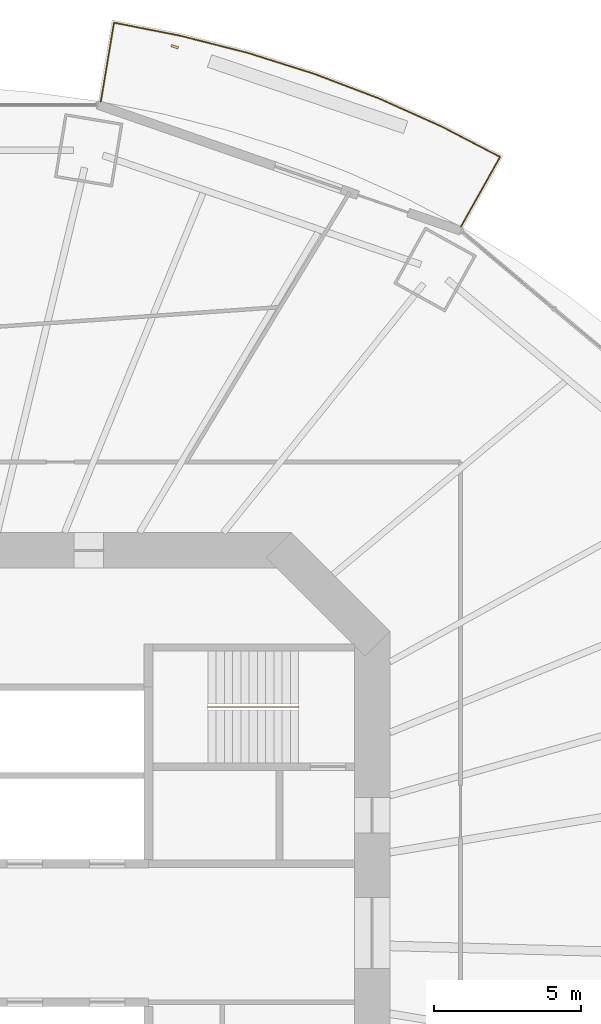
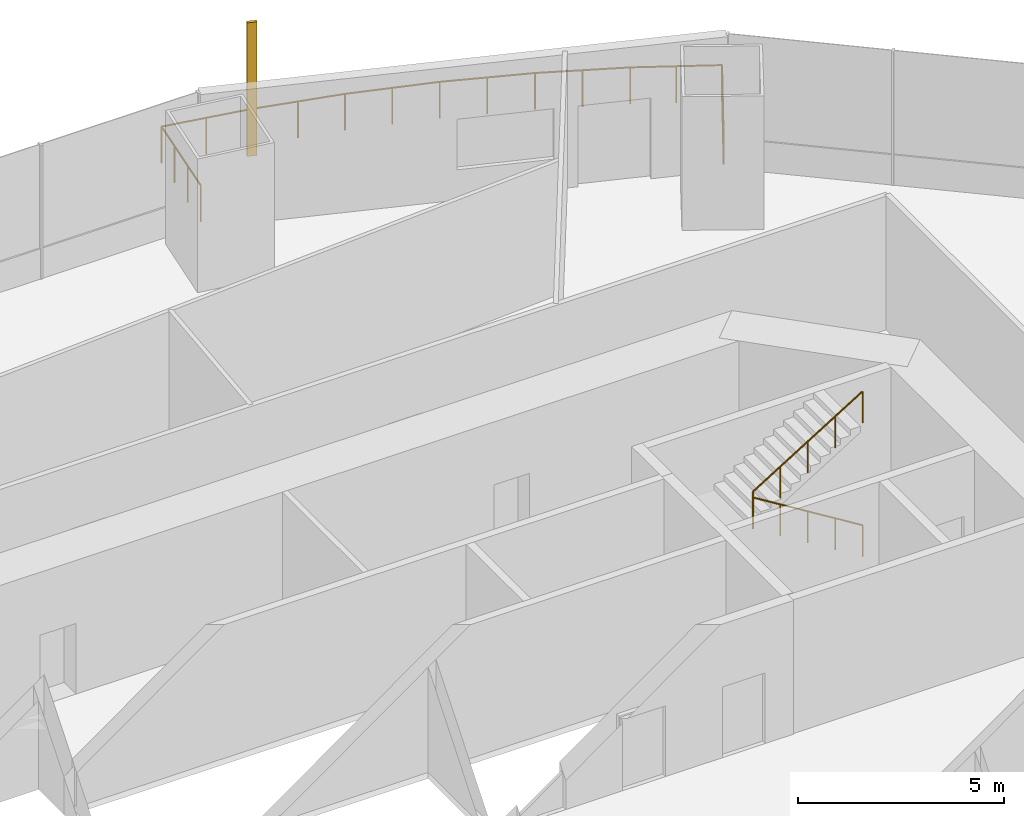
# One storey, part 20 of 22: 2 railings, 1 shading device.
"""IFC4 building model written with IfcOpenShell, lengths in metres."""

from ifc_helpers import new_model, si_unit, direction, frame, origin, origin_2d, place, context, subcontext, project, spatial, rectangle, circle, extrude, material, material_profile, profile_set, type_object, element, save


model = new_model("IFC4")

# Units and contexts
model_context = context("Model", 3, precision=1e-05, world=origin(), true_north=direction((0.0, 1.0)))
body_context = subcontext(model_context, "Body", "Model", "MODEL_VIEW")
ifc_project = project(units=[si_unit("LENGTHUNIT", "METRE"), si_unit("AREAUNIT", "SQUARE_METRE"), si_unit("VOLUMEUNIT", "CUBIC_METRE"), si_unit("PLANEANGLEUNIT", "RADIAN"), si_unit("MASSUNIT", "GRAM", prefix="KILO")], contexts=[model_context])

# Site, building, storey
site_placement = place(None, origin())
site = spatial("IfcSite", under=ifc_project, at=site_placement, CompositionType="ELEMENT")
building_placement = place(site_placement, origin())
building = spatial("IfcBuilding", under=site, at=building_placement, Name="Marenthal Gate Tower", CompositionType="ELEMENT")
storey_placement = place(building_placement, frame((0.0, 0.0, 116.0)))
storey = spatial("IfcBuildingStorey", under=building, at=storey_placement, Name="L24", CompositionType="ELEMENT", Elevation=116.0)

# Railings
ifc_material_1 = material(Name="Stainless steel", Category="steel")
railing_type_1 = type_object("IfcRailingType", Name="Balcony guard 1100", PredefinedType="GUARDRAIL", material=ifc_material_1)
railing_1_placement = place(storey_placement, frame((6.779541015625, 28.241455078125, 0.0)))
element("IfcRailing", 1, at=railing_1_placement, inside=storey, type_object=railing_type_1, Name="Balcony guard L24 bay 3", PredefinedType="GUARDRAIL", context=body_context, shape_type="SweptSolid", body=[
    extrude(circle(Radius=0.02392578125, at=origin_2d()), frame((0.0, 0.0, 1.076171875), z_axis=(0.164686797849, 0.986236088047, -0.014718602097), x_axis=(-0.986342933143, 0.164704639396, 0.0)), (0.0, 0.0, 1.0), 2.72021484375),
    extrude(circle(Radius=0.02392578125, at=origin_2d()), frame((0.447998046875, 2.682861328125, 1.0361328125), z_axis=(0.981215853429, -0.192913060677, 0.0), x_axis=(0.192913060677, 0.981215853429, 0.0)), (0.0, 0.0, 1.0), 2.302001953125),
    extrude(circle(Radius=0.02392578125, at=origin_2d()), frame((2.706787109375, 2.23876953125, 1.0361328125), z_axis=(0.969104776695, -0.246649410675, 0.0), x_axis=(0.246649410675, 0.969104776695, 0.0)), (0.0, 0.0, 1.0), 2.37255859375),
    extrude(circle(Radius=0.02392578125, at=origin_2d()), frame((5.006103515625, 1.653564453125, 1.0361328125), z_axis=(0.953609232067, -0.30104722639, 0.0), x_axis=(0.30104722639, 0.953609232067, 0.0)), (0.0, 0.0, 1.0), 2.36083984375),
    extrude(circle(Radius=0.02392578125, at=origin_2d()), frame((7.25732421875, 0.94287109375, 1.0361328125), z_axis=(0.934764240257, -0.35526865206, 0.0), x_axis=(0.35526865206, 0.934764240257, 0.0)), (0.0, 0.0, 1.0), 2.347412109375),
    extrude(circle(Radius=0.02392578125, at=origin_2d()), frame((9.45166015625, 0.10888671875, 1.0361328125), z_axis=(0.912494502903, -0.409088966083, 0.0), x_axis=(0.409088966083, 0.912494502903, 0.0)), (0.0, 0.0, 1.0), 2.332275390625),
    extrude(circle(Radius=0.02392578125, at=origin_2d()), frame((11.579833984375, -0.84521484375, 1.0361328125), z_axis=(0.887125590865, -0.461528098855, 0.0), x_axis=(0.461528098855, 0.887125590865, 0.0)), (0.0, 0.0, 1.0), 2.235595703125),
    extrude(circle(Radius=0.02392578125, at=origin_2d()), frame((13.56298828125, -1.876953125, 1.0361328125), z_axis=(-0.489197979897, -0.87204857286, 0.014718119373), x_axis=(0.872143041114, -0.489250974283, 0.0)), (0.0, 0.0, 1.0), 2.720458984375),
    extrude(circle(Radius=0.02099609375, at=origin_2d()), origin(), (0.0, 0.0, 1.0), 1.052001953125),
    extrude(circle(Radius=0.02099609375, at=origin_2d()), frame((0.1494140625, 0.894287109375, -0.013427734375)), (0.0, 0.0, 1.0), 1.052001953125),
    extrude(circle(Radius=0.02099609375, at=origin_2d()), frame((0.298583984375, 1.78857421875, -0.026611328125)), (0.0, 0.0, 1.0), 1.052001953125),
    extrude(circle(Radius=0.02099609375, at=origin_2d()), frame((0.447998046875, 2.682861328125, -0.0400390625)), (0.0, 0.0, 1.0), 1.052001953125),
    extrude(circle(Radius=0.02099609375, at=origin_2d()), frame((1.577392578125, 2.4609375, -0.0400390625)), (0.0, 0.0, 1.0), 1.052001953125),
    extrude(circle(Radius=0.02099609375, at=origin_2d()), frame((2.706787109375, 2.23876953125, -0.0400390625)), (0.0, 0.0, 1.0), 1.052001953125),
    extrude(circle(Radius=0.02099609375, at=origin_2d()), frame((3.8564453125, 1.9462890625, -0.0400390625)), (0.0, 0.0, 1.0), 1.052001953125),
    extrude(circle(Radius=0.02099609375, at=origin_2d()), frame((5.006103515625, 1.653564453125, -0.0400390625)), (0.0, 0.0, 1.0), 1.052001953125),
    extrude(circle(Radius=0.02099609375, at=origin_2d()), frame((6.1318359375, 1.29833984375, -0.0400390625)), (0.0, 0.0, 1.0), 1.052001953125),
    extrude(circle(Radius=0.02099609375, at=origin_2d()), frame((7.25732421875, 0.94287109375, -0.0400390625)), (0.0, 0.0, 1.0), 1.052001953125),
    extrude(circle(Radius=0.02099609375, at=origin_2d()), frame((8.3544921875, 0.52587890625, -0.0400390625)), (0.0, 0.0, 1.0), 1.052001953125),
    extrude(circle(Radius=0.02099609375, at=origin_2d()), frame((9.45166015625, 0.10888671875, -0.0400390625)), (0.0, 0.0, 1.0), 1.052001953125),
    extrude(circle(Radius=0.02099609375, at=origin_2d()), frame((10.515625, -0.3681640625, -0.0400390625)), (0.0, 0.0, 1.0), 1.052001953125),
    extrude(circle(Radius=0.02099609375, at=origin_2d()), frame((11.579833984375, -0.84521484375, -0.0400390625)), (0.0, 0.0, 1.0), 1.052001953125),
    extrude(circle(Radius=0.02099609375, at=origin_2d()), frame((12.5712890625, -1.361083984375, -0.0400390625)), (0.0, 0.0, 1.0), 1.052001953125),
    extrude(circle(Radius=0.02099609375, at=origin_2d()), frame((13.56298828125, -1.876953125, -0.0400390625)), (0.0, 0.0, 1.0), 1.052001953125),
    extrude(circle(Radius=0.02099609375, at=origin_2d()), frame((13.119384765625, -2.667724609375, -0.026611328125)), (0.0, 0.0, 1.0), 1.052001953125),
    extrude(circle(Radius=0.02099609375, at=origin_2d()), frame((12.67578125, -3.45849609375, -0.013427734375)), (0.0, 0.0, 1.0), 1.052001953125),
    extrude(circle(Radius=0.02099609375, at=origin_2d()), frame((12.232177734375, -4.249267578125, 0.0)), (0.0, 0.0, 1.0), 1.052001953125),
])
ifc_material_2 = material(Name="Stainless steel", Category="steel")
railing_type_2 = type_object("IfcRailingType", Name="Stair handrail", PredefinedType="HANDRAIL", material=ifc_material_2)
railing_2_placement = place(storey_placement, frame((13.5, 7.675048828125, 0.1728515625)))
element("IfcRailing", 2, at=railing_2_placement, inside=storey, type_object=railing_type_2, Name="Handrail ST3", PredefinedType="HANDRAIL", context=body_context, shape_type="SweptSolid", body=[
    extrude(circle(Radius=0.0224609375, at=origin_2d()), frame((0.0, 0.0, 0.927490234375), z_axis=(-0.850835241893, 0.0, 0.525432575268), x_axis=(0.0, -1.0, 0.0)), (0.0, 0.0, 1.0), 3.6201171875),
    extrude(circle(Radius=0.0224609375, at=origin_2d()), frame((-3.080078125, 0.0, 2.82958984375), z_axis=(0.0, 0.0, 1.0), x_axis=(1.0, 0.0, 0.0)), (0.0, 0.0, 1.0), 0.1728515625),
    extrude(circle(Radius=0.0224609375, at=origin_2d()), frame((-3.080078125, 0.0, 3.00244140625), z_axis=(0.850835241893, 0.0, 0.525432575268), x_axis=(0.0, 1.0, 0.0)), (0.0, 0.0, 1.0), 3.6201171875),
    extrude(circle(Radius=0.02001953125, at=origin_2d()), origin(), (0.0, 0.0, 1.0), 0.905029296875),
    extrude(circle(Radius=0.02001953125, at=origin_2d()), frame((-0.77001953125, 0.0, 0.4755859375)), (0.0, 0.0, 1.0), 0.905029296875),
    extrude(circle(Radius=0.02001953125, at=origin_2d()), frame((-1.5400390625, 0.0, 0.951171875)), (0.0, 0.0, 1.0), 0.905029296875),
    extrude(circle(Radius=0.02001953125, at=origin_2d()), frame((-2.31005859375, 0.0, 1.426513671875)), (0.0, 0.0, 1.0), 0.905029296875),
    extrude(circle(Radius=0.02001953125, at=origin_2d()), frame((-3.080078125, 0.0, 1.902099609375)), (0.0, 0.0, 1.0), 0.905029296875),
    extrude(circle(Radius=0.02001953125, at=origin_2d()), frame((-3.080078125, 0.0, 2.074951171875)), (0.0, 0.0, 1.0), 0.905029296875),
    extrude(circle(Radius=0.02001953125, at=origin_2d()), frame((-2.31005859375, 0.0, 2.550537109375)), (0.0, 0.0, 1.0), 0.905029296875),
    extrude(circle(Radius=0.02001953125, at=origin_2d()), frame((-1.5400390625, 0.0, 3.02587890625)), (0.0, 0.0, 1.0), 0.905029296875),
    extrude(circle(Radius=0.02001953125, at=origin_2d()), frame((-0.77001953125, 0.0, 3.50146484375)), (0.0, 0.0, 1.0), 0.905029296875),
    extrude(circle(Radius=0.02001953125, at=origin_2d()), frame((0.0, 0.0, 3.97705078125)), (0.0, 0.0, 1.0), 0.905029296875),
])

# Shading device
ifc_material_3 = material(Name="Terracotta", Category="masonry")
ifc_material_profile = material_profile(ifc_material_3, rectangle(XDim=0.25, YDim=0.080078125, at=origin_2d()), Name="Terracotta baguette 250x80")
ifc_profile_set = profile_set([ifc_material_profile], Name="Terracotta")
shading_device_type = type_object("IfcShadingDeviceType", Name="Terracotta BAGUETTE SCREEN 250x80", PredefinedType="USERDEFINED", material=ifc_profile_set)
shading_device_placement = place(storey_placement, frame((9.29296875, 30.107666015625, -0.0400390625), z_axis=(0.0, 0.0, 1.0), x_axis=(-0.94459732274, 0.328231469959, 0.0)))
element("IfcShadingDevice", 3, at=shading_device_placement, inside=storey, type_object=shading_device_type, Name="Terracotta BAGUETTE L24 bay 3R", ObjectType="BAGUETTE SCREEN", PredefinedType="USERDEFINED", context=body_context, shape_type="SweptSolid", body=[
    extrude(rectangle(XDim=0.25, YDim=0.080078125, at=origin_2d()), origin(), (0.0, 0.0, 1.0), 3.969970703125),
])

save(model, "model.ifc")
